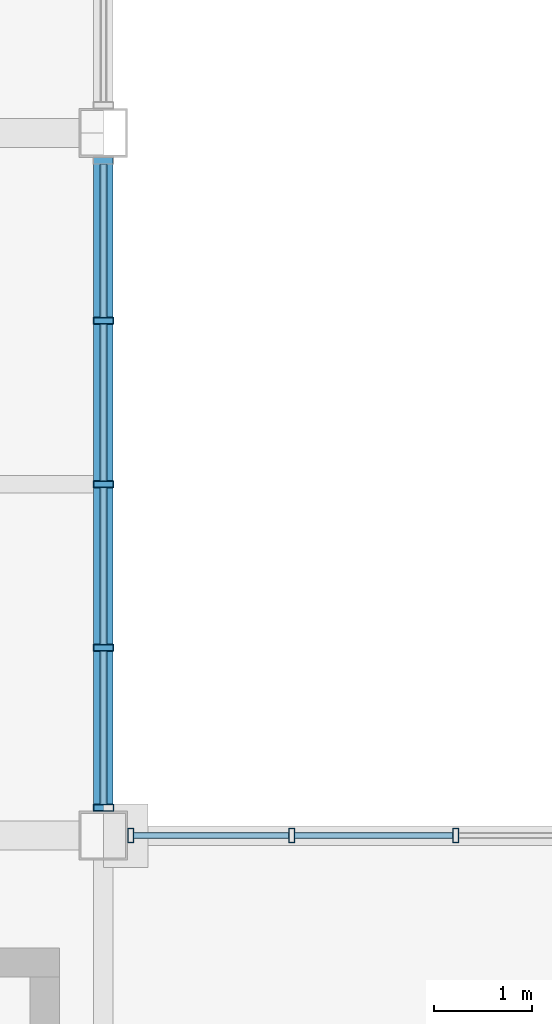
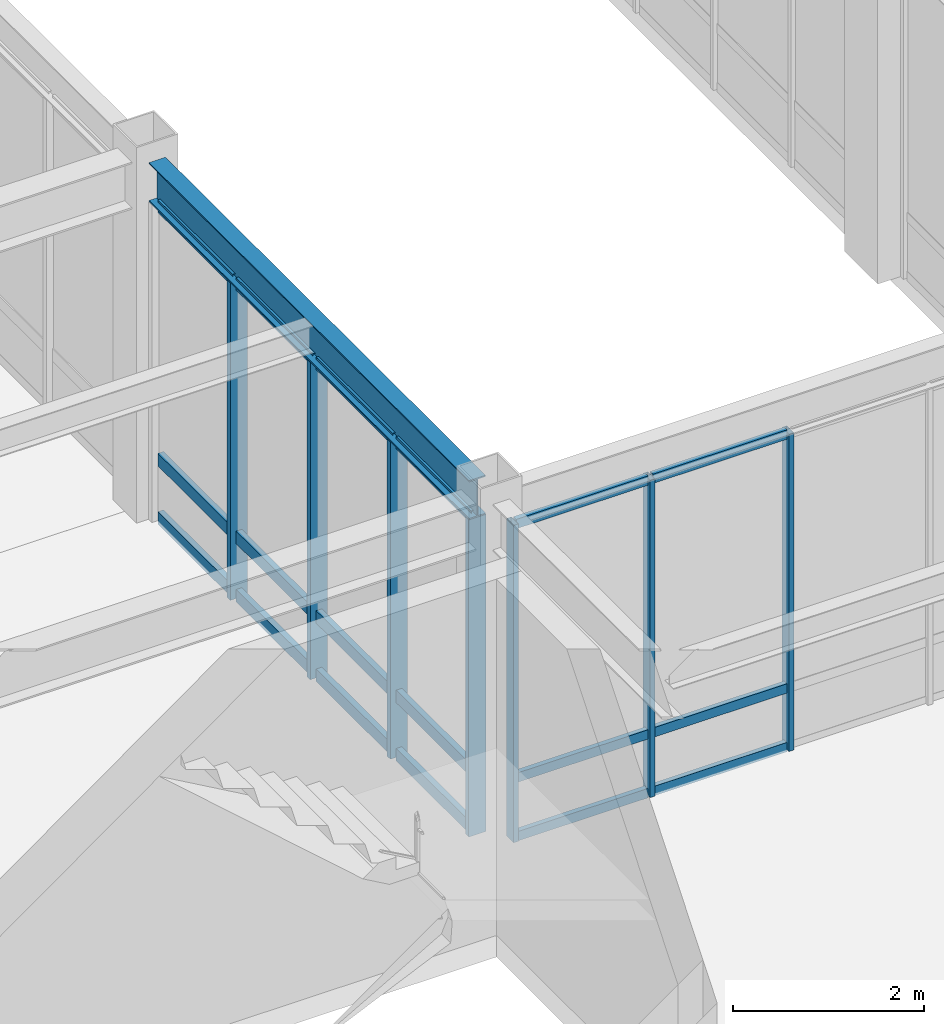
# One storey, part 66 of 112: 25 members, 1 beam, 2 elements without a shape of their own.
"""IFC4 building model written with IfcOpenShell, lengths in metres."""

from ifc_helpers import new_model, si_unit, direction, frame, origin, origin_2d, place, context, subcontext, project, spatial, hollow_rectangle, i_section, extrude, material, material_profile, profile_set, type_object, element, aggregate, save


model = new_model("IFC4")

# Units and contexts
model_context = context("Model", 3, precision=1e-05, world=origin(), true_north=direction((0.0, 1.0)))
body_context = subcontext(model_context, "Body", "Model", "MODEL_VIEW")
ifc_project = project(units=[si_unit("LENGTHUNIT", "METRE"), si_unit("AREAUNIT", "SQUARE_METRE"), si_unit("VOLUMEUNIT", "CUBIC_METRE"), si_unit("PLANEANGLEUNIT", "RADIAN"), si_unit("MASSUNIT", "GRAM", prefix="KILO")], contexts=[model_context])

# Site, building, storey
site_placement = place(None, origin())
site = spatial("IfcSite", under=ifc_project, at=site_placement, CompositionType="ELEMENT")
building_placement = place(site_placement, origin())
building = spatial("IfcBuilding", under=site, at=building_placement, Name="Kazanami Central Library", CompositionType="ELEMENT")
storey_placement = place(building_placement, origin())
storey = spatial("IfcBuildingStorey", under=building, at=storey_placement, Name="L01", CompositionType="ELEMENT", Elevation=0.0)

# Beam
ifc_material_1 = material(Name="Steel SN490B (325 MPa)", Category="steel")
ifc_material_profile_1 = material_profile(ifc_material_1, i_section(OverallWidth=0.199951171875, OverallDepth=0.5, WebThickness=0.010009765625, FlangeThickness=0.01611328125, at=origin_2d()), Name="H-500x200x10x16")
ifc_profile_set_1 = profile_set([ifc_material_profile_1], Name="Steel SN490B (325 MPa)")
beam_type = type_object("IfcBeamType", Name="BM-SP-1", PredefinedType="SPANDREL", material=ifc_profile_set_1)
beam_placement = place(storey_placement, frame((108.0, 79.447998046875, 4.304931640625), z_axis=(0.0, 1.0, 0.0), x_axis=(-1.0, 0.0, 0.0)))
element("IfcBeam", 1, at=beam_placement, inside=storey, type_object=beam_type, Name="Girder SP-1 L01 13/M-N", PredefinedType="SPANDREL", context=body_context, shape_type="SweptSolid", body=[
    extrude(i_section(OverallWidth=0.199951171875, OverallDepth=0.5, WebThickness=0.010009765625, FlangeThickness=0.01611328125, at=origin_2d()), origin(), (0.0, 0.0, 1.0), 6.7041015625),
])

# Curtain wall, members
ifc_material_2 = material(Name="Acid-Etched Low-E Laminated Glass", Category="glass")
curtain_wall_type_1 = type_object("IfcCurtainWallType", Name="CW-6700x4055-M180", PredefinedType="USERDEFINED", material=ifc_material_2)
curtain_wall_1_placement = place(storey_placement, origin())
curtain_wall_1 = element("IfcCurtainWall", 2, at=curtain_wall_1_placement, inside=storey, type_object=curtain_wall_type_1, Name="Covered Link Bridge Curtain Wall CW-09 L01 E-13-11", ObjectType="UNITISED CURTAIN WALL", PredefinedType="USERDEFINED")
ifc_material_3 = material(Name="Anodised Aluminium A6063-T5", Category="aluminium")
ifc_material_profile_2 = material_profile(ifc_material_3, hollow_rectangle(XDim=0.070068359375, YDim=0.2099609375, WallThickness=0.0048828125, at=origin_2d()), Name="ALU-MULL-70x210x5")
ifc_profile_set_2 = profile_set([ifc_material_profile_2], Name="Anodised Aluminium A6063-T5")
member_type_1 = type_object("IfcMemberType", Name="MEM-CW-M1", PredefinedType="MULLION", material=ifc_profile_set_2)
member_1_placement = place(storey_placement, frame((108.0, 84.47509765625, 0.0), z_axis=(0.0, 0.0, 1.0), x_axis=(0.0, -1.0, 0.0)))
member_1 = element("IfcMember", 3, at=member_1_placement, type_object=member_type_1, Name="CW-09 mullion 2", PredefinedType="MULLION", context=body_context, shape_type="SweptSolid", body=[
    extrude(hollow_rectangle(XDim=0.070068359375, YDim=0.2099609375, WallThickness=0.0048828125, at=origin_2d()), origin(), (0.0, 0.0, 1.0), 4.054931640625),
])
member_2_placement = place(storey_placement, frame((108.0, 82.800048828125, 0.0), z_axis=(0.0, 0.0, 1.0), x_axis=(0.0, -1.0, 0.0)))
member_2 = element("IfcMember", 4, at=member_2_placement, type_object=member_type_1, Name="CW-09 mullion 3", PredefinedType="MULLION", context=body_context, shape_type="SweptSolid", body=[
    extrude(hollow_rectangle(XDim=0.070068359375, YDim=0.2099609375, WallThickness=0.0048828125, at=origin_2d()), origin(), (0.0, 0.0, 1.0), 4.054931640625),
])
member_3_placement = place(storey_placement, frame((108.0, 81.125, 0.0), z_axis=(0.0, 0.0, 1.0), x_axis=(0.0, -1.0, 0.0)))
member_3 = element("IfcMember", 5, at=member_3_placement, type_object=member_type_1, Name="CW-09 mullion 4", PredefinedType="MULLION", context=body_context, shape_type="SweptSolid", body=[
    extrude(hollow_rectangle(XDim=0.070068359375, YDim=0.2099609375, WallThickness=0.0048828125, at=origin_2d()), origin(), (0.0, 0.0, 1.0), 4.054931640625),
])
member_4_placement = place(storey_placement, frame((108.0, 79.485107421875, 0.0), z_axis=(0.0, 0.0, 1.0), x_axis=(0.0, -1.0, 0.0)))
member_4 = element("IfcMember", 6, at=member_4_placement, type_object=member_type_1, Name="CW-09 mullion 5", PredefinedType="MULLION", context=body_context, shape_type="SweptSolid", body=[
    extrude(hollow_rectangle(XDim=0.070068359375, YDim=0.2099609375, WallThickness=0.0048828125, at=origin_2d()), origin(), (0.0, 0.0, 1.0), 4.054931640625),
])

curtain_wall_type_2 = type_object("IfcCurtainWallType", Name="CW-8400x4055-M180", PredefinedType="USERDEFINED", material=ifc_material_2)
curtain_wall_2_placement = place(storey_placement, origin())
curtain_wall_2 = element("IfcCurtainWall", 7, at=curtain_wall_2_placement, inside=storey, type_object=curtain_wall_type_2, Name="Covered Link Bridge Curtain Wall CW-06 L01 N-M-12", ObjectType="UNITISED CURTAIN WALL", PredefinedType="USERDEFINED")
ifc_material_profile_3 = material_profile(ifc_material_3, hollow_rectangle(XDim=0.06005859375, YDim=0.14990234375, WallThickness=0.00390625, at=origin_2d()), Name="ALU-MULL-60x150x4")
ifc_profile_set_3 = profile_set([ifc_material_profile_3], Name="Anodised Aluminium A6063-T5")
member_type_2 = type_object("IfcMemberType", Name="MEM-CW-M3", PredefinedType="MULLION", material=ifc_profile_set_3)
member_5_placement = place(storey_placement, frame((111.610107421875, 79.199951171875, 0.0), z_axis=(0.0, 0.0, 1.0), x_axis=(-1.0, 0.0, 0.0)))
member_5 = element("IfcMember", 8, at=member_5_placement, type_object=member_type_2, Name="CW-06 mullion 4", PredefinedType="MULLION", context=body_context, shape_type="SweptSolid", body=[
    extrude(hollow_rectangle(XDim=0.06005859375, YDim=0.14990234375, WallThickness=0.00390625, at=origin_2d()), origin(), (0.0, 0.0, 1.0), 4.054931640625),
])
member_6_placement = place(storey_placement, frame((109.929931640625, 79.199951171875, 0.0), z_axis=(0.0, 0.0, 1.0), x_axis=(-1.0, 0.0, 0.0)))
member_6 = element("IfcMember", 9, at=member_6_placement, type_object=member_type_2, Name="CW-06 mullion 5", PredefinedType="MULLION", context=body_context, shape_type="SweptSolid", body=[
    extrude(hollow_rectangle(XDim=0.06005859375, YDim=0.14990234375, WallThickness=0.00390625, at=origin_2d()), origin(), (0.0, 0.0, 1.0), 4.054931640625),
])
member_7_placement = place(storey_placement, frame((108.280029296875, 79.199951171875, 0.0), z_axis=(0.0, 0.0, 1.0), x_axis=(-1.0, 0.0, 0.0)))
member_7 = element("IfcMember", 10, at=member_7_placement, type_object=member_type_2, Name="CW-06 mullion 6", PredefinedType="MULLION", context=body_context, shape_type="SweptSolid", body=[
    extrude(hollow_rectangle(XDim=0.06005859375, YDim=0.14990234375, WallThickness=0.00390625, at=origin_2d()), origin(), (0.0, 0.0, 1.0), 4.054931640625),
])

# Member
ifc_material_profile_4 = material_profile(ifc_material_3, hollow_rectangle(XDim=0.070068359375, YDim=0.159912109375, WallThickness=0.00390625, at=origin_2d()), Name="ALU-TRAN-70x160x4")
ifc_profile_set_4 = profile_set([ifc_material_profile_4], Name="Anodised Aluminium A6063-T5")
member_type_3 = type_object("IfcMemberType", Name="MEM-CW-T1", PredefinedType="USERDEFINED", material=ifc_profile_set_4)
member_8_placement = place(storey_placement, frame((108.0, 86.080078125, 0.034912109375), z_axis=(0.0, -1.0, 0.0), x_axis=(1.0, 0.0, 0.0)))
member_8 = element("IfcMember", 11, at=member_8_placement, type_object=member_type_3, Name="CW-09 transom 1.1", ObjectType="TRANSOM", PredefinedType="USERDEFINED", context=body_context, shape_type="SweptSolid", body=[
    extrude(hollow_rectangle(XDim=0.070068359375, YDim=0.159912109375, WallThickness=0.00390625, at=origin_2d()), origin(), (0.0, 0.0, 1.0), 1.570068359375),
])

member_9_placement = place(storey_placement, frame((108.0, 86.080078125, 0.780029296875), z_axis=(0.0, -1.0, 0.0), x_axis=(1.0, 0.0, 0.0)))
member_9 = element("IfcMember", 12, at=member_9_placement, type_object=member_type_3, Name="CW-09 transom 1.2", ObjectType="TRANSOM", PredefinedType="USERDEFINED", context=body_context, shape_type="SweptSolid", body=[
    extrude(hollow_rectangle(XDim=0.070068359375, YDim=0.159912109375, WallThickness=0.00390625, at=origin_2d()), origin(), (0.0, 0.0, 1.0), 1.570068359375),
])

member_10_placement = place(storey_placement, frame((108.0, 86.080078125, 4.02001953125), z_axis=(0.0, -1.0, 0.0), x_axis=(1.0, 0.0, 0.0)))
member_10 = element("IfcMember", 13, at=member_10_placement, type_object=member_type_3, Name="CW-09 transom 1.3", ObjectType="TRANSOM", PredefinedType="USERDEFINED", context=body_context, shape_type="SweptSolid", body=[
    extrude(hollow_rectangle(XDim=0.070068359375, YDim=0.159912109375, WallThickness=0.00390625, at=origin_2d()), origin(), (0.0, 0.0, 1.0), 1.570068359375),
])

member_11_placement = place(storey_placement, frame((108.0, 84.43994140625, 0.034912109375), z_axis=(0.0, -1.0, 0.0), x_axis=(1.0, 0.0, 0.0)))
member_11 = element("IfcMember", 14, at=member_11_placement, type_object=member_type_3, Name="CW-09 transom 2.1", ObjectType="TRANSOM", PredefinedType="USERDEFINED", context=body_context, shape_type="SweptSolid", body=[
    extrude(hollow_rectangle(XDim=0.070068359375, YDim=0.159912109375, WallThickness=0.00390625, at=origin_2d()), origin(), (0.0, 0.0, 1.0), 1.60498046875),
])

member_12_placement = place(storey_placement, frame((108.0, 84.43994140625, 0.780029296875), z_axis=(0.0, -1.0, 0.0), x_axis=(1.0, 0.0, 0.0)))
member_12 = element("IfcMember", 15, at=member_12_placement, type_object=member_type_3, Name="CW-09 transom 2.2", ObjectType="TRANSOM", PredefinedType="USERDEFINED", context=body_context, shape_type="SweptSolid", body=[
    extrude(hollow_rectangle(XDim=0.070068359375, YDim=0.159912109375, WallThickness=0.00390625, at=origin_2d()), origin(), (0.0, 0.0, 1.0), 1.60498046875),
])

member_13_placement = place(storey_placement, frame((108.0, 84.43994140625, 4.02001953125), z_axis=(0.0, -1.0, 0.0), x_axis=(1.0, 0.0, 0.0)))
member_13 = element("IfcMember", 16, at=member_13_placement, type_object=member_type_3, Name="CW-09 transom 2.3", ObjectType="TRANSOM", PredefinedType="USERDEFINED", context=body_context, shape_type="SweptSolid", body=[
    extrude(hollow_rectangle(XDim=0.070068359375, YDim=0.159912109375, WallThickness=0.00390625, at=origin_2d()), origin(), (0.0, 0.0, 1.0), 1.60498046875),
])

member_14_placement = place(storey_placement, frame((108.0, 82.764892578125, 0.034912109375), z_axis=(0.0, -1.0, 0.0), x_axis=(1.0, 0.0, 0.0)))
member_14 = element("IfcMember", 17, at=member_14_placement, type_object=member_type_3, Name="CW-09 transom 3.1", ObjectType="TRANSOM", PredefinedType="USERDEFINED", context=body_context, shape_type="SweptSolid", body=[
    extrude(hollow_rectangle(XDim=0.070068359375, YDim=0.159912109375, WallThickness=0.00390625, at=origin_2d()), origin(), (0.0, 0.0, 1.0), 1.60498046875),
])

member_15_placement = place(storey_placement, frame((108.0, 82.764892578125, 0.780029296875), z_axis=(0.0, -1.0, 0.0), x_axis=(1.0, 0.0, 0.0)))
member_15 = element("IfcMember", 18, at=member_15_placement, type_object=member_type_3, Name="CW-09 transom 3.2", ObjectType="TRANSOM", PredefinedType="USERDEFINED", context=body_context, shape_type="SweptSolid", body=[
    extrude(hollow_rectangle(XDim=0.070068359375, YDim=0.159912109375, WallThickness=0.00390625, at=origin_2d()), origin(), (0.0, 0.0, 1.0), 1.60498046875),
])

member_16_placement = place(storey_placement, frame((108.0, 82.764892578125, 4.02001953125), z_axis=(0.0, -1.0, 0.0), x_axis=(1.0, 0.0, 0.0)))
member_16 = element("IfcMember", 19, at=member_16_placement, type_object=member_type_3, Name="CW-09 transom 3.3", ObjectType="TRANSOM", PredefinedType="USERDEFINED", context=body_context, shape_type="SweptSolid", body=[
    extrude(hollow_rectangle(XDim=0.070068359375, YDim=0.159912109375, WallThickness=0.00390625, at=origin_2d()), origin(), (0.0, 0.0, 1.0), 1.60498046875),
])

member_17_placement = place(storey_placement, frame((108.0, 81.090087890625, 0.034912109375), z_axis=(0.0, -1.0, 0.0), x_axis=(1.0, 0.0, 0.0)))
member_17 = element("IfcMember", 20, at=member_17_placement, type_object=member_type_3, Name="CW-09 transom 4.1", ObjectType="TRANSOM", PredefinedType="USERDEFINED", context=body_context, shape_type="SweptSolid", body=[
    extrude(hollow_rectangle(XDim=0.070068359375, YDim=0.159912109375, WallThickness=0.00390625, at=origin_2d()), origin(), (0.0, 0.0, 1.0), 1.570068359375),
])

member_18_placement = place(storey_placement, frame((108.0, 81.090087890625, 0.780029296875), z_axis=(0.0, -1.0, 0.0), x_axis=(1.0, 0.0, 0.0)))
member_18 = element("IfcMember", 21, at=member_18_placement, type_object=member_type_3, Name="CW-09 transom 4.2", ObjectType="TRANSOM", PredefinedType="USERDEFINED", context=body_context, shape_type="SweptSolid", body=[
    extrude(hollow_rectangle(XDim=0.070068359375, YDim=0.159912109375, WallThickness=0.00390625, at=origin_2d()), origin(), (0.0, 0.0, 1.0), 1.570068359375),
])

member_19_placement = place(storey_placement, frame((108.0, 81.090087890625, 4.02001953125), z_axis=(0.0, -1.0, 0.0), x_axis=(1.0, 0.0, 0.0)))
member_19 = element("IfcMember", 22, at=member_19_placement, type_object=member_type_3, Name="CW-09 transom 4.3", ObjectType="TRANSOM", PredefinedType="USERDEFINED", context=body_context, shape_type="SweptSolid", body=[
    extrude(hollow_rectangle(XDim=0.070068359375, YDim=0.159912109375, WallThickness=0.00390625, at=origin_2d()), origin(), (0.0, 0.0, 1.0), 1.570068359375),
])

aggregate(curtain_wall_1, [member_1, member_2, member_3, member_4, member_8, member_9, member_10, member_11, member_12, member_13, member_14, member_15, member_16, member_17, member_18, member_19])

ifc_material_profile_5 = material_profile(ifc_material_3, hollow_rectangle(XDim=0.06005859375, YDim=0.1201171875, WallThickness=0.00341796875, at=origin_2d()), Name="ALU-TRAN-60x120x3.5")
ifc_profile_set_5 = profile_set([ifc_material_profile_5], Name="Anodised Aluminium A6063-T5")
member_type_4 = type_object("IfcMemberType", Name="MEM-CW-T3", PredefinedType="USERDEFINED", material=ifc_profile_set_5)
member_20_placement = place(storey_placement, frame((111.580078125, 79.199951171875, 0.030029296875), z_axis=(-1.0, 0.0, 0.0), x_axis=(0.0, -1.0, 0.0)))
member_20 = element("IfcMember", 23, at=member_20_placement, type_object=member_type_4, Name="CW-06 transom 4.1", ObjectType="TRANSOM", PredefinedType="USERDEFINED", context=body_context, shape_type="SweptSolid", body=[
    extrude(hollow_rectangle(XDim=0.06005859375, YDim=0.1201171875, WallThickness=0.00341796875, at=origin_2d()), origin(), (0.0, 0.0, 1.0), 1.6201171875),
])

member_21_placement = place(storey_placement, frame((111.580078125, 79.199951171875, 0.780029296875), z_axis=(-1.0, 0.0, 0.0), x_axis=(0.0, -1.0, 0.0)))
member_21 = element("IfcMember", 24, at=member_21_placement, type_object=member_type_4, Name="CW-06 transom 4.2", ObjectType="TRANSOM", PredefinedType="USERDEFINED", context=body_context, shape_type="SweptSolid", body=[
    extrude(hollow_rectangle(XDim=0.06005859375, YDim=0.1201171875, WallThickness=0.00341796875, at=origin_2d()), origin(), (0.0, 0.0, 1.0), 1.6201171875),
])

member_22_placement = place(storey_placement, frame((111.580078125, 79.199951171875, 4.02490234375), z_axis=(-1.0, 0.0, 0.0), x_axis=(0.0, -1.0, 0.0)))
member_22 = element("IfcMember", 25, at=member_22_placement, type_object=member_type_4, Name="CW-06 transom 4.3", ObjectType="TRANSOM", PredefinedType="USERDEFINED", context=body_context, shape_type="SweptSolid", body=[
    extrude(hollow_rectangle(XDim=0.06005859375, YDim=0.1201171875, WallThickness=0.00341796875, at=origin_2d()), origin(), (0.0, 0.0, 1.0), 1.6201171875),
])

member_23_placement = place(storey_placement, frame((109.89990234375, 79.199951171875, 0.030029296875), z_axis=(-1.0, 0.0, 0.0), x_axis=(0.0, -1.0, 0.0)))
member_23 = element("IfcMember", 26, at=member_23_placement, type_object=member_type_4, Name="CW-06 transom 5.1", ObjectType="TRANSOM", PredefinedType="USERDEFINED", context=body_context, shape_type="SweptSolid", body=[
    extrude(hollow_rectangle(XDim=0.06005859375, YDim=0.1201171875, WallThickness=0.00341796875, at=origin_2d()), origin(), (0.0, 0.0, 1.0), 1.58984375),
])

member_24_placement = place(storey_placement, frame((109.89990234375, 79.199951171875, 0.780029296875), z_axis=(-1.0, 0.0, 0.0), x_axis=(0.0, -1.0, 0.0)))
member_24 = element("IfcMember", 27, at=member_24_placement, type_object=member_type_4, Name="CW-06 transom 5.2", ObjectType="TRANSOM", PredefinedType="USERDEFINED", context=body_context, shape_type="SweptSolid", body=[
    extrude(hollow_rectangle(XDim=0.06005859375, YDim=0.1201171875, WallThickness=0.00341796875, at=origin_2d()), origin(), (0.0, 0.0, 1.0), 1.58984375),
])

member_25_placement = place(storey_placement, frame((109.89990234375, 79.199951171875, 4.02490234375), z_axis=(-1.0, 0.0, 0.0), x_axis=(0.0, -1.0, 0.0)))
member_25 = element("IfcMember", 28, at=member_25_placement, type_object=member_type_4, Name="CW-06 transom 5.3", ObjectType="TRANSOM", PredefinedType="USERDEFINED", context=body_context, shape_type="SweptSolid", body=[
    extrude(hollow_rectangle(XDim=0.06005859375, YDim=0.1201171875, WallThickness=0.00341796875, at=origin_2d()), origin(), (0.0, 0.0, 1.0), 1.58984375),
])

aggregate(curtain_wall_2, [member_5, member_6, member_7, member_20, member_21, member_22, member_23, member_24, member_25])

save(model, "model.ifc")
